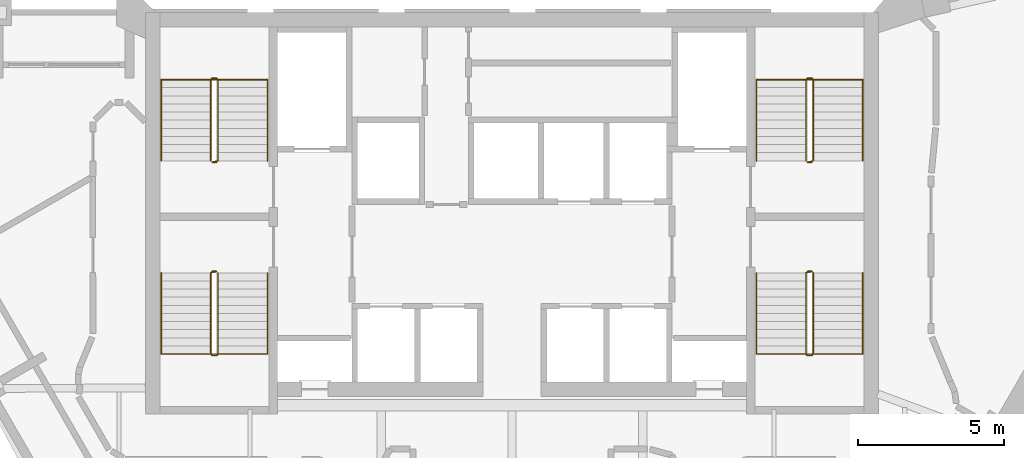
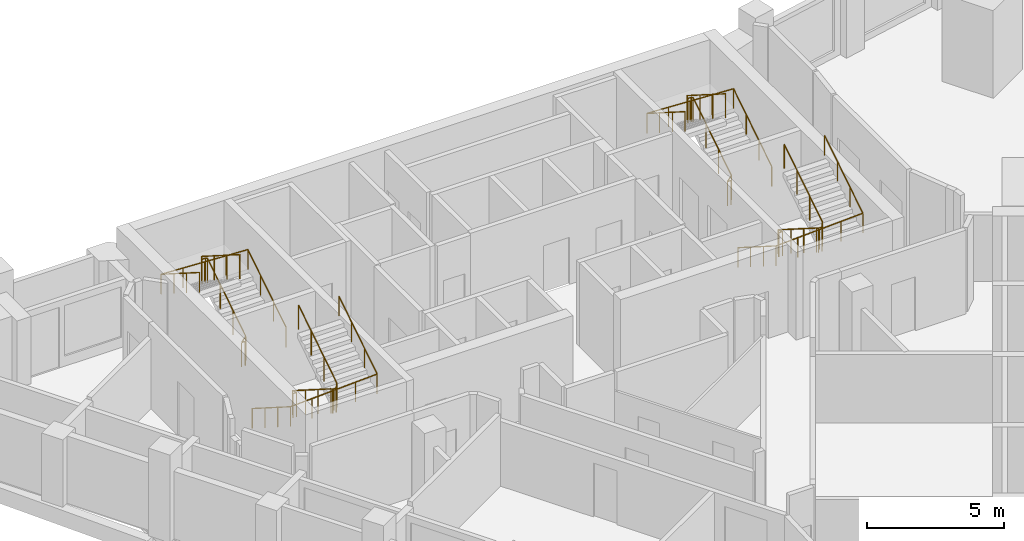
# One storey, part 9 of 9: 8 railings.
"""IFC4 building model written with IfcOpenShell, lengths in metres."""

from ifc_helpers import new_model, si_unit, direction, frame, origin, origin_2d, place, context, subcontext, project, spatial, circle, extrude, material, type_object, element, save


model = new_model("IFC4")

# Units and contexts
model_context = context("Model", 3, precision=1e-05, world=origin(), true_north=direction((0.0, 1.0)))
body_context = subcontext(model_context, "Body", "Model", "MODEL_VIEW")
ifc_project = project(units=[si_unit("LENGTHUNIT", "METRE"), si_unit("AREAUNIT", "SQUARE_METRE"), si_unit("VOLUMEUNIT", "CUBIC_METRE"), si_unit("PLANEANGLEUNIT", "RADIAN"), si_unit("MASSUNIT", "GRAM", prefix="KILO")], contexts=[model_context])

# Site, building, storey
site_placement = place(None, origin())
site = spatial("IfcSite", under=ifc_project, at=site_placement, CompositionType="ELEMENT")
building_placement = place(site_placement, origin())
building = spatial("IfcBuilding", under=site, at=building_placement, Name="Calabash Gate Tower", CompositionType="ELEMENT")
storey_placement = place(building_placement, frame((0.0, 0.0, 283.300048828125)))
storey = spatial("IfcBuildingStorey", under=building, at=storey_placement, Name="L68", CompositionType="ELEMENT", Elevation=283.300048828125)

# Railings
ifc_material_1 = material(Name="Black powder-coated steel balusters", Category="steel")
railing_type_1 = type_object("IfcRailingType", Name="Stair guard RL1100", PredefinedType="GUARDRAIL", material=ifc_material_1)
railing_1_placement = place(storey_placement, frame((-10.14990234375, 13.902587890625, 0.0)))
element("IfcRailing", 1, at=railing_1_placement, inside=storey, type_object=railing_type_1, Name="L68 ST1 stair guard 1", PredefinedType="GUARDRAIL", context=body_context, shape_type="SweptSolid", body=[
    extrude(circle(Radius=0.02392578125, at=origin_2d()), frame((0.0, 0.0, 1.076171875), z_axis=(-1.0, 0.0, 0.0), x_axis=(0.0, -1.0, 0.0)), (0.0, 0.0, 1.0), 0.150146484375),
    extrude(circle(Radius=0.02392578125, at=origin_2d()), frame((-0.150146484375, 0.0, 1.076171875), z_axis=(0.735524641326, 0.184105679453, 0.652003528208), x_axis=(-0.242814311512, 0.970072785993, 0.0)), (0.0, 0.0, 1.0), 0.271728515625),
    extrude(circle(Radius=0.02392578125, at=origin_2d()), frame((0.0498046875, 0.050048828125, 1.25341796875), z_axis=(0.0, 0.844041424197, 0.536277982245), x_axis=(-1.0, 0.0, 0.0)), (0.0, 0.0, 1.0), 3.3056640625),
    extrude(circle(Radius=0.02392578125, at=origin_2d()), frame((0.0498046875, 2.840087890625, 3.02587890625), z_axis=(-0.707106781187, 0.707106781187, 0.0), x_axis=(-0.707106781187, -0.707106781187, 0.0)), (0.0, 0.0, 1.0), 0.0703125),
    extrude(circle(Radius=0.02392578125, at=origin_2d()), frame((0.0, 2.889892578125, 3.02587890625), z_axis=(-1.0, 0.0, 0.0), x_axis=(0.0, -1.0, 0.0)), (0.0, 0.0, 1.0), 0.150146484375),
    extrude(circle(Radius=0.02392578125, at=origin_2d()), frame((-0.150146484375, 2.889892578125, 3.02587890625), z_axis=(-0.262321481514, -0.261041864531, 0.929001929653), x_axis=(0.705375805398, -0.708833529934, 0.0)), (0.0, 0.0, 1.0), 0.190673828125),
    extrude(circle(Radius=0.02392578125, at=origin_2d()), frame((-0.2001953125, 2.840087890625, 3.203125), z_axis=(0.0, -0.844041424197, 0.536277982245), x_axis=(1.0, 0.0, 0.0)), (0.0, 0.0, 1.0), 3.3056640625),
    extrude(circle(Radius=0.02099609375, at=origin_2d()), origin(), (0.0, 0.0, 1.0), 1.052001953125),
    extrude(circle(Radius=0.02099609375, at=origin_2d()), frame((-0.150146484375, 0.0, 0.0)), (0.0, 0.0, 1.0), 1.052001953125),
    extrude(circle(Radius=0.02099609375, at=origin_2d()), frame((0.0498046875, 0.050048828125, 0.17724609375)), (0.0, 0.0, 1.0), 1.052001953125),
    extrude(circle(Radius=0.02099609375, at=origin_2d()), frame((0.0498046875, 0.97998046875, 0.76806640625)), (0.0, 0.0, 1.0), 1.052001953125),
    extrude(circle(Radius=0.02099609375, at=origin_2d()), frame((0.0498046875, 1.91015625, 1.359130859375)), (0.0, 0.0, 1.0), 1.052001953125),
    extrude(circle(Radius=0.02099609375, at=origin_2d()), frame((0.0498046875, 2.840087890625, 1.949951171875)), (0.0, 0.0, 1.0), 1.052001953125),
    extrude(circle(Radius=0.02099609375, at=origin_2d()), frame((0.0, 2.889892578125, 1.949951171875)), (0.0, 0.0, 1.0), 1.052001953125),
    extrude(circle(Radius=0.02099609375, at=origin_2d()), frame((-0.150146484375, 2.889892578125, 1.949951171875)), (0.0, 0.0, 1.0), 1.052001953125),
    extrude(circle(Radius=0.02099609375, at=origin_2d()), frame((-0.2001953125, 2.840087890625, 2.127197265625)), (0.0, 0.0, 1.0), 1.052001953125),
    extrude(circle(Radius=0.02099609375, at=origin_2d()), frame((-0.2001953125, 1.91015625, 2.718017578125)), (0.0, 0.0, 1.0), 1.052001953125),
    extrude(circle(Radius=0.02099609375, at=origin_2d()), frame((-0.2001953125, 0.97998046875, 3.30908203125)), (0.0, 0.0, 1.0), 1.052001953125),
    extrude(circle(Radius=0.02099609375, at=origin_2d()), frame((-0.2001953125, 0.050048828125, 3.89990234375)), (0.0, 0.0, 1.0), 1.052001953125),
])
railing_2_placement = place(storey_placement, frame((-10.300048828125, 10.152587890625, 0.0)))
element("IfcRailing", 2, at=railing_2_placement, inside=storey, type_object=railing_type_1, Name="L68 ST2 stair guard 1", PredefinedType="GUARDRAIL", context=body_context, shape_type="SweptSolid", body=[
    extrude(circle(Radius=0.02392578125, at=origin_2d()), frame((0.0, 0.0, 1.076171875), z_axis=(1.0, 0.0, 0.0), x_axis=(0.0, 1.0, 0.0)), (0.0, 0.0, 1.0), 0.150146484375),
    extrude(circle(Radius=0.02392578125, at=origin_2d()), frame((0.150146484375, 0.0, 1.076171875), z_axis=(-0.735936453418, -0.183984113355, 0.651573006319), x_axis=(0.242535625036, -0.970142500145, 0.0)), (0.0, 0.0, 1.0), 0.27197265625),
    extrude(circle(Radius=0.02392578125, at=origin_2d()), frame((-0.050048828125, -0.050048828125, 1.25341796875), z_axis=(0.0, -0.844041424197, 0.536277982245), x_axis=(1.0, 0.0, 0.0)), (0.0, 0.0, 1.0), 3.3056640625),
    extrude(circle(Radius=0.02392578125, at=origin_2d()), frame((-0.050048828125, -2.840087890625, 3.02587890625), z_axis=(0.708833529934, -0.705375805398, 0.0), x_axis=(0.705375805398, 0.708833529934, 0.0)), (0.0, 0.0, 1.0), 0.070556640625),
    extrude(circle(Radius=0.02392578125, at=origin_2d()), frame((0.0, -2.889892578125, 3.02587890625), z_axis=(1.0, 0.0, 0.0), x_axis=(0.0, 1.0, 0.0)), (0.0, 0.0, 1.0), 0.150146484375),
    extrude(circle(Radius=0.02392578125, at=origin_2d()), frame((0.150146484375, -2.889892578125, 3.02587890625), z_axis=(0.261129318932, 0.261129318932, 0.929313164433), x_axis=(-0.707106781187, 0.707106781187, 0.0)), (0.0, 0.0, 1.0), 0.190673828125),
    extrude(circle(Radius=0.02392578125, at=origin_2d()), frame((0.199951171875, -2.840087890625, 3.203125), z_axis=(0.0, 0.844041424197, 0.536277982245), x_axis=(-1.0, 0.0, 0.0)), (0.0, 0.0, 1.0), 3.3056640625),
    extrude(circle(Radius=0.02099609375, at=origin_2d()), origin(), (0.0, 0.0, 1.0), 1.052001953125),
    extrude(circle(Radius=0.02099609375, at=origin_2d()), frame((0.150146484375, 0.0, 0.0)), (0.0, 0.0, 1.0), 1.052001953125),
    extrude(circle(Radius=0.02099609375, at=origin_2d()), frame((-0.050048828125, -0.050048828125, 0.17724609375)), (0.0, 0.0, 1.0), 1.052001953125),
    extrude(circle(Radius=0.02099609375, at=origin_2d()), frame((-0.050048828125, -0.97998046875, 0.76806640625)), (0.0, 0.0, 1.0), 1.052001953125),
    extrude(circle(Radius=0.02099609375, at=origin_2d()), frame((-0.050048828125, -1.91015625, 1.359130859375)), (0.0, 0.0, 1.0), 1.052001953125),
    extrude(circle(Radius=0.02099609375, at=origin_2d()), frame((-0.050048828125, -2.840087890625, 1.949951171875)), (0.0, 0.0, 1.0), 1.052001953125),
    extrude(circle(Radius=0.02099609375, at=origin_2d()), frame((0.0, -2.889892578125, 1.949951171875)), (0.0, 0.0, 1.0), 1.052001953125),
    extrude(circle(Radius=0.02099609375, at=origin_2d()), frame((0.150146484375, -2.889892578125, 1.949951171875)), (0.0, 0.0, 1.0), 1.052001953125),
    extrude(circle(Radius=0.02099609375, at=origin_2d()), frame((0.199951171875, -2.840087890625, 2.127197265625)), (0.0, 0.0, 1.0), 1.052001953125),
    extrude(circle(Radius=0.02099609375, at=origin_2d()), frame((0.199951171875, -1.91015625, 2.718017578125)), (0.0, 0.0, 1.0), 1.052001953125),
    extrude(circle(Radius=0.02099609375, at=origin_2d()), frame((0.199951171875, -0.97998046875, 3.30908203125)), (0.0, 0.0, 1.0), 1.052001953125),
    extrude(circle(Radius=0.02099609375, at=origin_2d()), frame((0.199951171875, -0.050048828125, 3.89990234375)), (0.0, 0.0, 1.0), 1.052001953125),
])
railing_3_placement = place(storey_placement, frame((10.300048828125, 13.902587890625, 0.0)))
element("IfcRailing", 3, at=railing_3_placement, inside=storey, type_object=railing_type_1, Name="L68 ST3 stair guard 1", PredefinedType="GUARDRAIL", context=body_context, shape_type="SweptSolid", body=[
    extrude(circle(Radius=0.02392578125, at=origin_2d()), frame((0.0, 0.0, 1.076171875), z_axis=(-1.0, 0.0, 0.0), x_axis=(0.0, -1.0, 0.0)), (0.0, 0.0, 1.0), 0.150146484375),
    extrude(circle(Radius=0.02392578125, at=origin_2d()), frame((-0.150146484375, 0.0, 1.076171875), z_axis=(0.735936453418, 0.183984113355, 0.651573006319), x_axis=(-0.242535625036, 0.970142500145, 0.0)), (0.0, 0.0, 1.0), 0.27197265625),
    extrude(circle(Radius=0.02392578125, at=origin_2d()), frame((0.050048828125, 0.050048828125, 1.25341796875), z_axis=(0.0, 0.844041424197, 0.536277982245), x_axis=(-1.0, 0.0, 0.0)), (0.0, 0.0, 1.0), 3.3056640625),
    extrude(circle(Radius=0.02392578125, at=origin_2d()), frame((0.050048828125, 2.840087890625, 3.02587890625), z_axis=(-0.708833529934, 0.705375805398, 0.0), x_axis=(-0.705375805398, -0.708833529934, 0.0)), (0.0, 0.0, 1.0), 0.070556640625),
    extrude(circle(Radius=0.02392578125, at=origin_2d()), frame((0.0, 2.889892578125, 3.02587890625), z_axis=(-1.0, 0.0, 0.0), x_axis=(0.0, -1.0, 0.0)), (0.0, 0.0, 1.0), 0.150146484375),
    extrude(circle(Radius=0.02392578125, at=origin_2d()), frame((-0.150146484375, 2.889892578125, 3.02587890625), z_axis=(-0.261129318932, -0.261129318932, 0.929313164433), x_axis=(0.707106781187, -0.707106781187, 0.0)), (0.0, 0.0, 1.0), 0.190673828125),
    extrude(circle(Radius=0.02392578125, at=origin_2d()), frame((-0.199951171875, 2.840087890625, 3.203125), z_axis=(0.0, -0.844041424197, 0.536277982245), x_axis=(1.0, 0.0, 0.0)), (0.0, 0.0, 1.0), 3.3056640625),
    extrude(circle(Radius=0.02099609375, at=origin_2d()), origin(), (0.0, 0.0, 1.0), 1.052001953125),
    extrude(circle(Radius=0.02099609375, at=origin_2d()), frame((-0.150146484375, 0.0, 0.0)), (0.0, 0.0, 1.0), 1.052001953125),
    extrude(circle(Radius=0.02099609375, at=origin_2d()), frame((0.050048828125, 0.050048828125, 0.17724609375)), (0.0, 0.0, 1.0), 1.052001953125),
    extrude(circle(Radius=0.02099609375, at=origin_2d()), frame((0.050048828125, 0.97998046875, 0.76806640625)), (0.0, 0.0, 1.0), 1.052001953125),
    extrude(circle(Radius=0.02099609375, at=origin_2d()), frame((0.050048828125, 1.91015625, 1.359130859375)), (0.0, 0.0, 1.0), 1.052001953125),
    extrude(circle(Radius=0.02099609375, at=origin_2d()), frame((0.050048828125, 2.840087890625, 1.949951171875)), (0.0, 0.0, 1.0), 1.052001953125),
    extrude(circle(Radius=0.02099609375, at=origin_2d()), frame((0.0, 2.889892578125, 1.949951171875)), (0.0, 0.0, 1.0), 1.052001953125),
    extrude(circle(Radius=0.02099609375, at=origin_2d()), frame((-0.150146484375, 2.889892578125, 1.949951171875)), (0.0, 0.0, 1.0), 1.052001953125),
    extrude(circle(Radius=0.02099609375, at=origin_2d()), frame((-0.199951171875, 2.840087890625, 2.127197265625)), (0.0, 0.0, 1.0), 1.052001953125),
    extrude(circle(Radius=0.02099609375, at=origin_2d()), frame((-0.199951171875, 1.91015625, 2.718017578125)), (0.0, 0.0, 1.0), 1.052001953125),
    extrude(circle(Radius=0.02099609375, at=origin_2d()), frame((-0.199951171875, 0.97998046875, 3.30908203125)), (0.0, 0.0, 1.0), 1.052001953125),
    extrude(circle(Radius=0.02099609375, at=origin_2d()), frame((-0.199951171875, 0.050048828125, 3.89990234375)), (0.0, 0.0, 1.0), 1.052001953125),
])
railing_4_placement = place(storey_placement, frame((10.14990234375, 10.152587890625, 0.0)))
element("IfcRailing", 4, at=railing_4_placement, inside=storey, type_object=railing_type_1, Name="L68 ST4 stair guard 1", PredefinedType="GUARDRAIL", context=body_context, shape_type="SweptSolid", body=[
    extrude(circle(Radius=0.02392578125, at=origin_2d()), frame((0.0, 0.0, 1.076171875), z_axis=(1.0, 0.0, 0.0), x_axis=(0.0, 1.0, 0.0)), (0.0, 0.0, 1.0), 0.150146484375),
    extrude(circle(Radius=0.02392578125, at=origin_2d()), frame((0.150146484375, 0.0, 1.076171875), z_axis=(-0.735524641326, -0.184105679453, 0.652003528208), x_axis=(0.242814311512, -0.970072785993, 0.0)), (0.0, 0.0, 1.0), 0.271728515625),
    extrude(circle(Radius=0.02392578125, at=origin_2d()), frame((-0.0498046875, -0.050048828125, 1.25341796875), z_axis=(0.0, -0.844041424197, 0.536277982245), x_axis=(1.0, 0.0, 0.0)), (0.0, 0.0, 1.0), 3.3056640625),
    extrude(circle(Radius=0.02392578125, at=origin_2d()), frame((-0.0498046875, -2.840087890625, 3.02587890625), z_axis=(0.707106781187, -0.707106781187, 0.0), x_axis=(0.707106781187, 0.707106781187, 0.0)), (0.0, 0.0, 1.0), 0.0703125),
    extrude(circle(Radius=0.02392578125, at=origin_2d()), frame((0.0, -2.889892578125, 3.02587890625), z_axis=(1.0, 0.0, 0.0), x_axis=(0.0, 1.0, 0.0)), (0.0, 0.0, 1.0), 0.150146484375),
    extrude(circle(Radius=0.02392578125, at=origin_2d()), frame((0.150146484375, -2.889892578125, 3.02587890625), z_axis=(0.262321481514, 0.261041864531, 0.929001929653), x_axis=(-0.705375805398, 0.708833529934, 0.0)), (0.0, 0.0, 1.0), 0.190673828125),
    extrude(circle(Radius=0.02392578125, at=origin_2d()), frame((0.2001953125, -2.840087890625, 3.203125), z_axis=(0.0, 0.844041424197, 0.536277982245), x_axis=(-1.0, 0.0, 0.0)), (0.0, 0.0, 1.0), 3.3056640625),
    extrude(circle(Radius=0.02099609375, at=origin_2d()), origin(), (0.0, 0.0, 1.0), 1.052001953125),
    extrude(circle(Radius=0.02099609375, at=origin_2d()), frame((0.150146484375, 0.0, 0.0)), (0.0, 0.0, 1.0), 1.052001953125),
    extrude(circle(Radius=0.02099609375, at=origin_2d()), frame((-0.0498046875, -0.050048828125, 0.17724609375)), (0.0, 0.0, 1.0), 1.052001953125),
    extrude(circle(Radius=0.02099609375, at=origin_2d()), frame((-0.0498046875, -0.97998046875, 0.76806640625)), (0.0, 0.0, 1.0), 1.052001953125),
    extrude(circle(Radius=0.02099609375, at=origin_2d()), frame((-0.0498046875, -1.91015625, 1.359130859375)), (0.0, 0.0, 1.0), 1.052001953125),
    extrude(circle(Radius=0.02099609375, at=origin_2d()), frame((-0.0498046875, -2.840087890625, 1.949951171875)), (0.0, 0.0, 1.0), 1.052001953125),
    extrude(circle(Radius=0.02099609375, at=origin_2d()), frame((0.0, -2.889892578125, 1.949951171875)), (0.0, 0.0, 1.0), 1.052001953125),
    extrude(circle(Radius=0.02099609375, at=origin_2d()), frame((0.150146484375, -2.889892578125, 1.949951171875)), (0.0, 0.0, 1.0), 1.052001953125),
    extrude(circle(Radius=0.02099609375, at=origin_2d()), frame((0.2001953125, -2.840087890625, 2.127197265625)), (0.0, 0.0, 1.0), 1.052001953125),
    extrude(circle(Radius=0.02099609375, at=origin_2d()), frame((0.2001953125, -1.91015625, 2.718017578125)), (0.0, 0.0, 1.0), 1.052001953125),
    extrude(circle(Radius=0.02099609375, at=origin_2d()), frame((0.2001953125, -0.97998046875, 3.30908203125)), (0.0, 0.0, 1.0), 1.052001953125),
    extrude(circle(Radius=0.02099609375, at=origin_2d()), frame((0.2001953125, -0.050048828125, 3.89990234375)), (0.0, 0.0, 1.0), 1.052001953125),
])
ifc_material_2 = material(Name="Black powder-coated steel tube 48 mm", Category="steel")
railing_type_2 = type_object("IfcRailingType", Name="Stair handrail RL900", PredefinedType="HANDRAIL", material=ifc_material_2)
railing_5_placement = place(storey_placement, frame((-8.39990234375, 13.95263671875, 0.17724609375)))
element("IfcRailing", 5, at=railing_5_placement, inside=storey, type_object=railing_type_2, Name="L68 ST1 stair handrail 1", PredefinedType="HANDRAIL", context=body_context, shape_type="SweptSolid", body=[
    extrude(circle(Radius=0.02392578125, at=origin_2d()), frame((0.0, 0.0, 0.8759765625), z_axis=(0.0, 0.844041424197, 0.536277982245), x_axis=(-1.0, 0.0, 0.0)), (0.0, 0.0, 1.0), 3.3056640625),
    extrude(circle(Radius=0.02392578125, at=origin_2d()), frame((0.0, 2.7900390625, 2.6484375), z_axis=(-0.998823110844, 0.0, 0.048501476722), x_axis=(0.0, -1.0, 0.0)), (0.0, 0.0, 1.0), 3.654541015625),
    extrude(circle(Radius=0.02392578125, at=origin_2d()), frame((-3.650146484375, 2.7900390625, 2.82568359375), z_axis=(0.0, -0.844041424197, 0.536277982245), x_axis=(1.0, 0.0, 0.0)), (0.0, 0.0, 1.0), 3.3056640625),
    extrude(circle(Radius=0.02099609375, at=origin_2d()), origin(), (0.0, 0.0, 1.0), 0.851806640625),
    extrude(circle(Radius=0.02099609375, at=origin_2d()), frame((0.0, 0.929931640625, 0.5908203125)), (0.0, 0.0, 1.0), 0.851806640625),
    extrude(circle(Radius=0.02099609375, at=origin_2d()), frame((0.0, 1.860107421875, 1.181884765625)), (0.0, 0.0, 1.0), 0.851806640625),
    extrude(circle(Radius=0.02099609375, at=origin_2d()), frame((0.0, 2.7900390625, 1.772705078125)), (0.0, 0.0, 1.0), 0.851806640625),
    extrude(circle(Radius=0.02099609375, at=origin_2d()), frame((-0.91259765625, 2.7900390625, 1.81689453125)), (0.0, 0.0, 1.0), 0.851806640625),
    extrude(circle(Radius=0.02099609375, at=origin_2d()), frame((-1.8251953125, 2.7900390625, 1.861328125)), (0.0, 0.0, 1.0), 0.851806640625),
    extrude(circle(Radius=0.02099609375, at=origin_2d()), frame((-2.737548828125, 2.7900390625, 1.90576171875)), (0.0, 0.0, 1.0), 0.851806640625),
    extrude(circle(Radius=0.02099609375, at=origin_2d()), frame((-3.650146484375, 2.7900390625, 1.949951171875)), (0.0, 0.0, 1.0), 0.851806640625),
    extrude(circle(Radius=0.02099609375, at=origin_2d()), frame((-3.650146484375, 1.860107421875, 2.540771484375)), (0.0, 0.0, 1.0), 0.851806640625),
    extrude(circle(Radius=0.02099609375, at=origin_2d()), frame((-3.650146484375, 0.929931640625, 3.1318359375)), (0.0, 0.0, 1.0), 0.851806640625),
    extrude(circle(Radius=0.02099609375, at=origin_2d()), frame((-3.650146484375, 0.0, 3.72265625)), (0.0, 0.0, 1.0), 0.851806640625),
])
railing_6_placement = place(storey_placement, frame((-12.050048828125, 10.1025390625, 0.17724609375)))
element("IfcRailing", 6, at=railing_6_placement, inside=storey, type_object=railing_type_2, Name="L68 ST2 stair handrail 1", PredefinedType="HANDRAIL", context=body_context, shape_type="SweptSolid", body=[
    extrude(circle(Radius=0.02392578125, at=origin_2d()), frame((0.0, 0.0, 0.8759765625), z_axis=(0.0, -0.844041424197, 0.536277982245), x_axis=(1.0, 0.0, 0.0)), (0.0, 0.0, 1.0), 3.3056640625),
    extrude(circle(Radius=0.02392578125, at=origin_2d()), frame((0.0, -2.7900390625, 2.6484375), z_axis=(0.998823110844, 0.0, 0.048501476722), x_axis=(0.0, 1.0, 0.0)), (0.0, 0.0, 1.0), 3.654541015625),
    extrude(circle(Radius=0.02392578125, at=origin_2d()), frame((3.650146484375, -2.7900390625, 2.82568359375), z_axis=(0.0, 0.844041424197, 0.536277982245), x_axis=(-1.0, 0.0, 0.0)), (0.0, 0.0, 1.0), 3.3056640625),
    extrude(circle(Radius=0.02099609375, at=origin_2d()), origin(), (0.0, 0.0, 1.0), 0.851806640625),
    extrude(circle(Radius=0.02099609375, at=origin_2d()), frame((0.0, -0.929931640625, 0.5908203125)), (0.0, 0.0, 1.0), 0.851806640625),
    extrude(circle(Radius=0.02099609375, at=origin_2d()), frame((0.0, -1.860107421875, 1.181884765625)), (0.0, 0.0, 1.0), 0.851806640625),
    extrude(circle(Radius=0.02099609375, at=origin_2d()), frame((0.0, -2.7900390625, 1.772705078125)), (0.0, 0.0, 1.0), 0.851806640625),
    extrude(circle(Radius=0.02099609375, at=origin_2d()), frame((0.91259765625, -2.7900390625, 1.81689453125)), (0.0, 0.0, 1.0), 0.851806640625),
    extrude(circle(Radius=0.02099609375, at=origin_2d()), frame((1.8251953125, -2.7900390625, 1.861328125)), (0.0, 0.0, 1.0), 0.851806640625),
    extrude(circle(Radius=0.02099609375, at=origin_2d()), frame((2.737548828125, -2.7900390625, 1.90576171875)), (0.0, 0.0, 1.0), 0.851806640625),
    extrude(circle(Radius=0.02099609375, at=origin_2d()), frame((3.650146484375, -2.7900390625, 1.949951171875)), (0.0, 0.0, 1.0), 0.851806640625),
    extrude(circle(Radius=0.02099609375, at=origin_2d()), frame((3.650146484375, -1.860107421875, 2.540771484375)), (0.0, 0.0, 1.0), 0.851806640625),
    extrude(circle(Radius=0.02099609375, at=origin_2d()), frame((3.650146484375, -0.929931640625, 3.1318359375)), (0.0, 0.0, 1.0), 0.851806640625),
    extrude(circle(Radius=0.02099609375, at=origin_2d()), frame((3.650146484375, 0.0, 3.72265625)), (0.0, 0.0, 1.0), 0.851806640625),
])
railing_7_placement = place(storey_placement, frame((12.050048828125, 13.95263671875, 0.17724609375)))
element("IfcRailing", 7, at=railing_7_placement, inside=storey, type_object=railing_type_2, Name="L68 ST3 stair handrail 1", PredefinedType="HANDRAIL", context=body_context, shape_type="SweptSolid", body=[
    extrude(circle(Radius=0.02392578125, at=origin_2d()), frame((0.0, 0.0, 0.8759765625), z_axis=(0.0, 0.844041424197, 0.536277982245), x_axis=(-1.0, 0.0, 0.0)), (0.0, 0.0, 1.0), 3.3056640625),
    extrude(circle(Radius=0.02392578125, at=origin_2d()), frame((0.0, 2.7900390625, 2.6484375), z_axis=(-0.998823110844, 0.0, 0.048501476722), x_axis=(0.0, -1.0, 0.0)), (0.0, 0.0, 1.0), 3.654541015625),
    extrude(circle(Radius=0.02392578125, at=origin_2d()), frame((-3.650146484375, 2.7900390625, 2.82568359375), z_axis=(0.0, -0.844041424197, 0.536277982245), x_axis=(1.0, 0.0, 0.0)), (0.0, 0.0, 1.0), 3.3056640625),
    extrude(circle(Radius=0.02099609375, at=origin_2d()), origin(), (0.0, 0.0, 1.0), 0.851806640625),
    extrude(circle(Radius=0.02099609375, at=origin_2d()), frame((0.0, 0.929931640625, 0.5908203125)), (0.0, 0.0, 1.0), 0.851806640625),
    extrude(circle(Radius=0.02099609375, at=origin_2d()), frame((0.0, 1.860107421875, 1.181884765625)), (0.0, 0.0, 1.0), 0.851806640625),
    extrude(circle(Radius=0.02099609375, at=origin_2d()), frame((0.0, 2.7900390625, 1.772705078125)), (0.0, 0.0, 1.0), 0.851806640625),
    extrude(circle(Radius=0.02099609375, at=origin_2d()), frame((-0.91259765625, 2.7900390625, 1.81689453125)), (0.0, 0.0, 1.0), 0.851806640625),
    extrude(circle(Radius=0.02099609375, at=origin_2d()), frame((-1.8251953125, 2.7900390625, 1.861328125)), (0.0, 0.0, 1.0), 0.851806640625),
    extrude(circle(Radius=0.02099609375, at=origin_2d()), frame((-2.737548828125, 2.7900390625, 1.90576171875)), (0.0, 0.0, 1.0), 0.851806640625),
    extrude(circle(Radius=0.02099609375, at=origin_2d()), frame((-3.650146484375, 2.7900390625, 1.949951171875)), (0.0, 0.0, 1.0), 0.851806640625),
    extrude(circle(Radius=0.02099609375, at=origin_2d()), frame((-3.650146484375, 1.860107421875, 2.540771484375)), (0.0, 0.0, 1.0), 0.851806640625),
    extrude(circle(Radius=0.02099609375, at=origin_2d()), frame((-3.650146484375, 0.929931640625, 3.1318359375)), (0.0, 0.0, 1.0), 0.851806640625),
    extrude(circle(Radius=0.02099609375, at=origin_2d()), frame((-3.650146484375, 0.0, 3.72265625)), (0.0, 0.0, 1.0), 0.851806640625),
])
railing_8_placement = place(storey_placement, frame((8.39990234375, 10.1025390625, 0.17724609375)))
element("IfcRailing", 8, at=railing_8_placement, inside=storey, type_object=railing_type_2, Name="L68 ST4 stair handrail 1", PredefinedType="HANDRAIL", context=body_context, shape_type="SweptSolid", body=[
    extrude(circle(Radius=0.02392578125, at=origin_2d()), frame((0.0, 0.0, 0.8759765625), z_axis=(0.0, -0.844041424197, 0.536277982245), x_axis=(1.0, 0.0, 0.0)), (0.0, 0.0, 1.0), 3.3056640625),
    extrude(circle(Radius=0.02392578125, at=origin_2d()), frame((0.0, -2.7900390625, 2.6484375), z_axis=(0.998823110844, 0.0, 0.048501476722), x_axis=(0.0, 1.0, 0.0)), (0.0, 0.0, 1.0), 3.654541015625),
    extrude(circle(Radius=0.02392578125, at=origin_2d()), frame((3.650146484375, -2.7900390625, 2.82568359375), z_axis=(0.0, 0.844041424197, 0.536277982245), x_axis=(-1.0, 0.0, 0.0)), (0.0, 0.0, 1.0), 3.3056640625),
    extrude(circle(Radius=0.02099609375, at=origin_2d()), origin(), (0.0, 0.0, 1.0), 0.851806640625),
    extrude(circle(Radius=0.02099609375, at=origin_2d()), frame((0.0, -0.929931640625, 0.5908203125)), (0.0, 0.0, 1.0), 0.851806640625),
    extrude(circle(Radius=0.02099609375, at=origin_2d()), frame((0.0, -1.860107421875, 1.181884765625)), (0.0, 0.0, 1.0), 0.851806640625),
    extrude(circle(Radius=0.02099609375, at=origin_2d()), frame((0.0, -2.7900390625, 1.772705078125)), (0.0, 0.0, 1.0), 0.851806640625),
    extrude(circle(Radius=0.02099609375, at=origin_2d()), frame((0.91259765625, -2.7900390625, 1.81689453125)), (0.0, 0.0, 1.0), 0.851806640625),
    extrude(circle(Radius=0.02099609375, at=origin_2d()), frame((1.8251953125, -2.7900390625, 1.861328125)), (0.0, 0.0, 1.0), 0.851806640625),
    extrude(circle(Radius=0.02099609375, at=origin_2d()), frame((2.737548828125, -2.7900390625, 1.90576171875)), (0.0, 0.0, 1.0), 0.851806640625),
    extrude(circle(Radius=0.02099609375, at=origin_2d()), frame((3.650146484375, -2.7900390625, 1.949951171875)), (0.0, 0.0, 1.0), 0.851806640625),
    extrude(circle(Radius=0.02099609375, at=origin_2d()), frame((3.650146484375, -1.860107421875, 2.540771484375)), (0.0, 0.0, 1.0), 0.851806640625),
    extrude(circle(Radius=0.02099609375, at=origin_2d()), frame((3.650146484375, -0.929931640625, 3.1318359375)), (0.0, 0.0, 1.0), 0.851806640625),
    extrude(circle(Radius=0.02099609375, at=origin_2d()), frame((3.650146484375, 0.0, 3.72265625)), (0.0, 0.0, 1.0), 0.851806640625),
])

save(model, "model.ifc")
